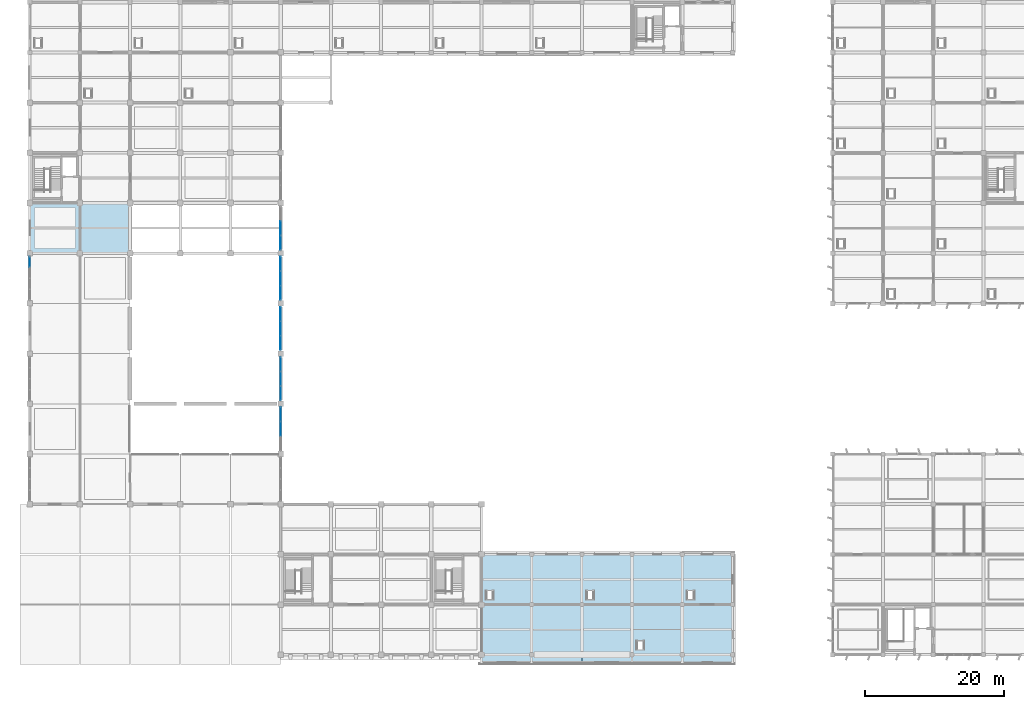
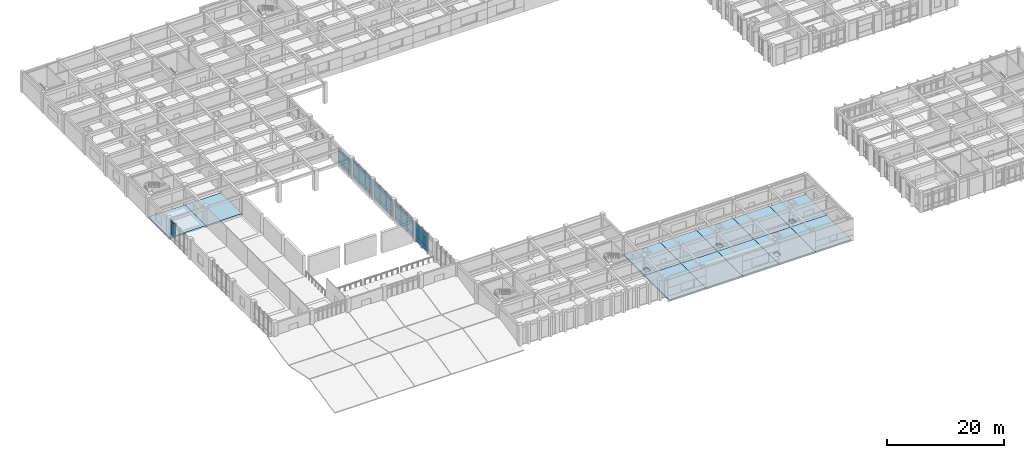
# One storey, part 34 of 70: 41 plates, 12 slabs, 6 elements without a shape of their own.
"""IFC4 building model written with IfcOpenShell, lengths in metres."""

from ifc_helpers import new_model, si_unit, direction, frame, origin, origin_2d, place, context, subcontext, project, spatial, polyline, rectangle, outline, extrude, material, layer, layer_set, type_object, element, aggregate, save


model = new_model("IFC4")

# Units and contexts
model_context = context("Model", 3, precision=1e-05, world=origin(), true_north=direction((0.0, 1.0)))
body_context = subcontext(model_context, "Body", "Model", "MODEL_VIEW")
ifc_project = project(units=[si_unit("LENGTHUNIT", "METRE"), si_unit("AREAUNIT", "SQUARE_METRE"), si_unit("VOLUMEUNIT", "CUBIC_METRE"), si_unit("PLANEANGLEUNIT", "RADIAN"), si_unit("MASSUNIT", "GRAM", prefix="KILO")], contexts=[model_context])

# Site, building, storey
site_placement = place(None, origin())
site = spatial("IfcSite", under=ifc_project, at=site_placement, CompositionType="ELEMENT")
building_placement = place(site_placement, origin())
building = spatial("IfcBuilding", under=site, at=building_placement, Name="Kavelor Marine Aquarium", CompositionType="ELEMENT")
storey_placement = place(building_placement, frame((0.0, 0.0, 9.179931640625)))
storey = spatial("IfcBuildingStorey", under=building, at=storey_placement, Name="L02", CompositionType="ELEMENT", Elevation=9.179931640625)

# Curtain wall, plates
ifc_material_1 = material(Name="Thermally Broken Aluminium and Low-E Glass", Category="aluminium")
ifc_layer_1 = layer(ifc_material_1, 0.260009765625)
ifc_layer_set_1 = layer_set([ifc_layer_1], Name="CW-SYS15")
curtain_wall_type_1 = type_object("IfcCurtainWallType", Name="CW-SYS15", PredefinedType="USERDEFINED", material=ifc_layer_set_1)
curtain_wall_1_placement = place(storey_placement, origin())
curtain_wall_1 = element("IfcCurtainWall", 1, at=curtain_wall_1_placement, inside=storey, type_object=curtain_wall_type_1, Name="cw:y:L02:00_07", ObjectType="Curtain Wall", PredefinedType="USERDEFINED")
ifc_material_2 = material(Name="Solar-Control Double Low-E Glazing", Category="glass")
ifc_layer_2 = layer(ifc_material_2, 0.053955078125)
ifc_layer_set_2 = layer_set([ifc_layer_2], Name="CWP-15")
plate_type_1 = type_object("IfcPlateType", Name="CWP-15", PredefinedType="CURTAIN_PANEL", material=ifc_layer_set_2)
plate_1_placement = place(storey_placement, frame((3.199951171875, 59.1513671875, 0.9326171875), z_axis=(0.0, 0.0, 1.0), x_axis=(0.0, -1.0, 0.0)))
plate_1 = element("IfcPlate", 2, at=plate_1_placement, type_object=plate_type_1, Name="CW15 panel 1.2", PredefinedType="CURTAIN_PANEL", context=body_context, shape_type="SweptSolid", body=[
    extrude(rectangle(XDim=1.487548828125, YDim=0.053955078125, at=origin_2d()), origin(), (0.0, 0.0, 1.0), 2.405029296875),
])
plate_2_placement = place(storey_placement, frame((3.199951171875, 59.1513671875, 3.40234375), z_axis=(0.0, 0.0, 1.0), x_axis=(0.0, -1.0, 0.0)))
plate_2 = element("IfcPlate", 3, at=plate_2_placement, type_object=plate_type_1, Name="CW15 panel 1.3", PredefinedType="CURTAIN_PANEL", context=body_context, shape_type="SweptSolid", body=[
    extrude(rectangle(XDim=1.487548828125, YDim=0.053955078125, at=origin_2d()), origin(), (0.0, 0.0, 1.0), 0.552490234375),
])
aggregate(curtain_wall_1, [plate_1, plate_2])

ifc_material_3 = material(Name="Thermally Broken Aluminium and Low-E Glass", Category="aluminium")
ifc_layer_3 = layer(ifc_material_3, 0.27587890625)
ifc_layer_set_3 = layer_set([ifc_layer_3], Name="CW-SYS17")
curtain_wall_type_2 = type_object("IfcCurtainWallType", Name="CW-SYS17", PredefinedType="USERDEFINED", material=ifc_layer_set_3)
curtain_wall_2_placement = place(storey_placement, origin())
curtain_wall_2 = element("IfcCurtainWall", 4, at=curtain_wall_2_placement, inside=storey, type_object=curtain_wall_type_2, Name="cw:y:L02:05_04", ObjectType="Curtain Wall", PredefinedType="USERDEFINED")
ifc_material_4 = material(Name="Solar-Control Double Low-E Glazing", Category="glass")
ifc_layer_4 = layer(ifc_material_4, 0.05810546875)
ifc_layer_set_4 = layer_set([ifc_layer_4], Name="CWP-17")
plate_type_2 = type_object("IfcPlateType", Name="CWP-17", PredefinedType="CURTAIN_PANEL", material=ifc_layer_set_4)
plate_3_placement = place(storey_placement, frame((39.199951171875, 35.199951171875, 0.06005859375), z_axis=(0.0, 0.0, 1.0), x_axis=(0.0, 1.0, 0.0)))
plate_3 = element("IfcPlate", 5, at=plate_3_placement, type_object=plate_type_2, Name="CW17 panel 2.1", PredefinedType="CURTAIN_PANEL", context=body_context, shape_type="SweptSolid", body=[
    extrude(rectangle(XDim=2.038330078125, YDim=0.05810546875, at=origin_2d()), origin(), (0.0, 0.0, 1.0), 0.81005859375),
])
plate_4_placement = place(storey_placement, frame((39.199951171875, 35.199951171875, 0.93017578125), z_axis=(0.0, 0.0, 1.0), x_axis=(0.0, 1.0, 0.0)))
plate_4 = element("IfcPlate", 6, at=plate_4_placement, type_object=plate_type_2, Name="CW17 panel 2.2", PredefinedType="CURTAIN_PANEL", context=body_context, shape_type="SweptSolid", body=[
    extrude(rectangle(XDim=2.038330078125, YDim=0.05810546875, at=origin_2d()), origin(), (0.0, 0.0, 1.0), 2.409912109375),
])
plate_5_placement = place(storey_placement, frame((39.199951171875, 35.199951171875, 3.400146484375), z_axis=(0.0, 0.0, 1.0), x_axis=(0.0, 1.0, 0.0)))
plate_5 = element("IfcPlate", 7, at=plate_5_placement, type_object=plate_type_2, Name="CW17 panel 2.3", PredefinedType="CURTAIN_PANEL", context=body_context, shape_type="SweptSolid", body=[
    extrude(rectangle(XDim=2.038330078125, YDim=0.05810546875, at=origin_2d()), origin(), (0.0, 0.0, 1.0), 0.56005859375),
])
plate_6_placement = place(storey_placement, frame((39.199951171875, 37.287109375, 0.06005859375), z_axis=(0.0, 0.0, 1.0), x_axis=(0.0, 1.0, 0.0)))
plate_6 = element("IfcPlate", 8, at=plate_6_placement, type_object=plate_type_2, Name="CW17 panel 3.1", PredefinedType="CURTAIN_PANEL", context=body_context, shape_type="SweptSolid", body=[
    extrude(rectangle(XDim=2.005859375, YDim=0.05810546875, at=origin_2d()), origin(), (0.0, 0.0, 1.0), 0.81005859375),
])
plate_7_placement = place(storey_placement, frame((39.199951171875, 37.287109375, 0.93017578125), z_axis=(0.0, 0.0, 1.0), x_axis=(0.0, 1.0, 0.0)))
plate_7 = element("IfcPlate", 9, at=plate_7_placement, type_object=plate_type_2, Name="CW17 panel 3.2", PredefinedType="CURTAIN_PANEL", context=body_context, shape_type="SweptSolid", body=[
    extrude(rectangle(XDim=2.005859375, YDim=0.05810546875, at=origin_2d()), origin(), (0.0, 0.0, 1.0), 2.409912109375),
])
plate_8_placement = place(storey_placement, frame((39.199951171875, 37.287109375, 3.400146484375), z_axis=(0.0, 0.0, 1.0), x_axis=(0.0, 1.0, 0.0)))
plate_8 = element("IfcPlate", 10, at=plate_8_placement, type_object=plate_type_2, Name="CW17 panel 3.3", PredefinedType="CURTAIN_PANEL", context=body_context, shape_type="SweptSolid", body=[
    extrude(rectangle(XDim=2.005859375, YDim=0.05810546875, at=origin_2d()), origin(), (0.0, 0.0, 1.0), 0.56005859375),
])
aggregate(curtain_wall_2, [plate_3, plate_4, plate_5, plate_6, plate_7, plate_8])

ifc_material_5 = material(Name="Thermally Broken Aluminium and Low-E Glass", Category="aluminium")
ifc_layer_5 = layer(ifc_material_5, 0.283935546875)
ifc_layer_set_5 = layer_set([ifc_layer_5], Name="CW-SYS18")
curtain_wall_type_3 = type_object("IfcCurtainWallType", Name="CW-SYS18", PredefinedType="USERDEFINED", material=ifc_layer_set_5)
curtain_wall_3_placement = place(storey_placement, origin())
curtain_wall_3 = element("IfcCurtainWall", 11, at=curtain_wall_3_placement, inside=storey, type_object=curtain_wall_type_3, Name="cw:y:L02:05_05", ObjectType="Curtain Wall", PredefinedType="USERDEFINED")
ifc_material_6 = material(Name="Solar-Control Double Low-E Glazing", Category="glass")
ifc_layer_6 = layer(ifc_material_6, 0.06005859375)
ifc_layer_set_6 = layer_set([ifc_layer_6], Name="CWP-18")
plate_type_3 = type_object("IfcPlateType", Name="CWP-18", PredefinedType="CURTAIN_PANEL", material=ifc_layer_set_6)
plate_9_placement = place(storey_placement, frame((39.199951171875, 40.311767578125, 0.074951171875), z_axis=(0.0, 0.0, 1.0), x_axis=(0.0, 1.0, 0.0)))
plate_9 = element("IfcPlate", 12, at=plate_9_placement, type_object=plate_type_3, Name="CW18 panel 1.1", PredefinedType="CURTAIN_PANEL", context=body_context, shape_type="SweptSolid", body=[
    extrude(rectangle(XDim=2.013427734375, YDim=0.06005859375, at=origin_2d()), origin(), (0.0, 0.0, 1.0), 0.78759765625),
])
plate_10_placement = place(storey_placement, frame((39.199951171875, 40.311767578125, 0.9375), z_axis=(0.0, 0.0, 1.0), x_axis=(0.0, 1.0, 0.0)))
plate_10 = element("IfcPlate", 13, at=plate_10_placement, type_object=plate_type_3, Name="CW18 panel 1.2", PredefinedType="CURTAIN_PANEL", context=body_context, shape_type="SweptSolid", body=[
    extrude(rectangle(XDim=2.013427734375, YDim=0.06005859375, at=origin_2d()), origin(), (0.0, 0.0, 1.0), 2.39501953125),
])
plate_11_placement = place(storey_placement, frame((39.199951171875, 40.311767578125, 3.407470703125), z_axis=(0.0, 0.0, 1.0), x_axis=(0.0, 1.0, 0.0)))
plate_11 = element("IfcPlate", 14, at=plate_11_placement, type_object=plate_type_3, Name="CW18 panel 1.3", PredefinedType="CURTAIN_PANEL", context=body_context, shape_type="SweptSolid", body=[
    extrude(rectangle(XDim=2.013427734375, YDim=0.06005859375, at=origin_2d()), origin(), (0.0, 0.0, 1.0), 0.53759765625),
])
plate_12_placement = place(storey_placement, frame((39.199951171875, 42.39990234375, 0.074951171875), z_axis=(0.0, 0.0, 1.0), x_axis=(0.0, 1.0, 0.0)))
plate_12 = element("IfcPlate", 15, at=plate_12_placement, type_object=plate_type_3, Name="CW18 panel 2.1", PredefinedType="CURTAIN_PANEL", context=body_context, shape_type="SweptSolid", body=[
    extrude(rectangle(XDim=2.043212890625, YDim=0.06005859375, at=origin_2d()), origin(), (0.0, 0.0, 1.0), 0.78759765625),
])
plate_13_placement = place(storey_placement, frame((39.199951171875, 42.39990234375, 0.9375), z_axis=(0.0, 0.0, 1.0), x_axis=(0.0, 1.0, 0.0)))
plate_13 = element("IfcPlate", 16, at=plate_13_placement, type_object=plate_type_3, Name="CW18 panel 2.2", PredefinedType="CURTAIN_PANEL", context=body_context, shape_type="SweptSolid", body=[
    extrude(rectangle(XDim=2.043212890625, YDim=0.06005859375, at=origin_2d()), origin(), (0.0, 0.0, 1.0), 2.39501953125),
])
plate_14_placement = place(storey_placement, frame((39.199951171875, 42.39990234375, 3.407470703125), z_axis=(0.0, 0.0, 1.0), x_axis=(0.0, 1.0, 0.0)))
plate_14 = element("IfcPlate", 17, at=plate_14_placement, type_object=plate_type_3, Name="CW18 panel 2.3", PredefinedType="CURTAIN_PANEL", context=body_context, shape_type="SweptSolid", body=[
    extrude(rectangle(XDim=2.043212890625, YDim=0.06005859375, at=origin_2d()), origin(), (0.0, 0.0, 1.0), 0.53759765625),
])
plate_15_placement = place(storey_placement, frame((39.199951171875, 44.48828125, 0.074951171875), z_axis=(0.0, 0.0, 1.0), x_axis=(0.0, 1.0, 0.0)))
plate_15 = element("IfcPlate", 18, at=plate_15_placement, type_object=plate_type_3, Name="CW18 panel 3.1", PredefinedType="CURTAIN_PANEL", context=body_context, shape_type="SweptSolid", body=[
    extrude(rectangle(XDim=2.013427734375, YDim=0.06005859375, at=origin_2d()), origin(), (0.0, 0.0, 1.0), 0.78759765625),
])
plate_16_placement = place(storey_placement, frame((39.199951171875, 44.48828125, 0.9375), z_axis=(0.0, 0.0, 1.0), x_axis=(0.0, 1.0, 0.0)))
plate_16 = element("IfcPlate", 19, at=plate_16_placement, type_object=plate_type_3, Name="CW18 panel 3.2", PredefinedType="CURTAIN_PANEL", context=body_context, shape_type="SweptSolid", body=[
    extrude(rectangle(XDim=2.013427734375, YDim=0.06005859375, at=origin_2d()), origin(), (0.0, 0.0, 1.0), 2.39501953125),
])
plate_17_placement = place(storey_placement, frame((39.199951171875, 44.48828125, 3.407470703125), z_axis=(0.0, 0.0, 1.0), x_axis=(0.0, 1.0, 0.0)))
plate_17 = element("IfcPlate", 20, at=plate_17_placement, type_object=plate_type_3, Name="CW18 panel 3.3", PredefinedType="CURTAIN_PANEL", context=body_context, shape_type="SweptSolid", body=[
    extrude(rectangle(XDim=2.013427734375, YDim=0.06005859375, at=origin_2d()), origin(), (0.0, 0.0, 1.0), 0.53759765625),
])
aggregate(curtain_wall_3, [plate_9, plate_10, plate_11, plate_12, plate_13, plate_14, plate_15, plate_16, plate_17])

ifc_material_7 = material(Name="Thermally Broken Aluminium and Low-E Glass", Category="aluminium")
ifc_layer_7 = layer(ifc_material_7, 0.2919921875)
ifc_layer_set_7 = layer_set([ifc_layer_7], Name="CW-SYS19")
curtain_wall_type_4 = type_object("IfcCurtainWallType", Name="CW-SYS19", PredefinedType="USERDEFINED", material=ifc_layer_set_7)
curtain_wall_4_placement = place(storey_placement, origin())
curtain_wall_4 = element("IfcCurtainWall", 21, at=curtain_wall_4_placement, inside=storey, type_object=curtain_wall_type_4, Name="cw:y:L02:05_06", ObjectType="Curtain Wall", PredefinedType="USERDEFINED")
ifc_material_8 = material(Name="Solar-Control Double Low-E Glazing", Category="glass")
ifc_layer_8 = layer(ifc_material_8, 0.06201171875)
ifc_layer_set_8 = layer_set([ifc_layer_8], Name="CWP-19")
plate_type_4 = type_object("IfcPlateType", Name="CWP-19", PredefinedType="CURTAIN_PANEL", material=ifc_layer_set_8)
plate_18_placement = place(storey_placement, frame((39.199951171875, 47.515380859375, 0.074951171875), z_axis=(0.0, 0.0, 1.0), x_axis=(0.0, 1.0, 0.0)))
plate_18 = element("IfcPlate", 22, at=plate_18_placement, type_object=plate_type_4, Name="CW19 panel 1.1", PredefinedType="CURTAIN_PANEL", context=body_context, shape_type="SweptSolid", body=[
    extrude(rectangle(XDim=1.99072265625, YDim=0.06201171875, at=origin_2d()), origin(), (0.0, 0.0, 1.0), 0.78759765625),
])
plate_19_placement = place(storey_placement, frame((39.199951171875, 47.515380859375, 0.9375), z_axis=(0.0, 0.0, 1.0), x_axis=(0.0, 1.0, 0.0)))
plate_19 = element("IfcPlate", 23, at=plate_19_placement, type_object=plate_type_4, Name="CW19 panel 1.2", PredefinedType="CURTAIN_PANEL", context=body_context, shape_type="SweptSolid", body=[
    extrude(rectangle(XDim=1.99072265625, YDim=0.06201171875, at=origin_2d()), origin(), (0.0, 0.0, 1.0), 2.39501953125),
])
plate_20_placement = place(storey_placement, frame((39.199951171875, 47.515380859375, 3.407470703125), z_axis=(0.0, 0.0, 1.0), x_axis=(0.0, 1.0, 0.0)))
plate_20 = element("IfcPlate", 24, at=plate_20_placement, type_object=plate_type_4, Name="CW19 panel 1.3", PredefinedType="CURTAIN_PANEL", context=body_context, shape_type="SweptSolid", body=[
    extrude(rectangle(XDim=1.99072265625, YDim=0.06201171875, at=origin_2d()), origin(), (0.0, 0.0, 1.0), 0.53759765625),
])
plate_21_placement = place(storey_placement, frame((39.199951171875, 49.60009765625, 0.074951171875), z_axis=(0.0, 0.0, 1.0), x_axis=(0.0, 1.0, 0.0)))
plate_21 = element("IfcPlate", 25, at=plate_21_placement, type_object=plate_type_4, Name="CW19 panel 2.1", PredefinedType="CURTAIN_PANEL", context=body_context, shape_type="SweptSolid", body=[
    extrude(rectangle(XDim=2.0283203125, YDim=0.06201171875, at=origin_2d()), origin(), (0.0, 0.0, 1.0), 0.78759765625),
])
plate_22_placement = place(storey_placement, frame((39.199951171875, 49.60009765625, 0.9375), z_axis=(0.0, 0.0, 1.0), x_axis=(0.0, 1.0, 0.0)))
plate_22 = element("IfcPlate", 26, at=plate_22_placement, type_object=plate_type_4, Name="CW19 panel 2.2", PredefinedType="CURTAIN_PANEL", context=body_context, shape_type="SweptSolid", body=[
    extrude(rectangle(XDim=2.0283203125, YDim=0.06201171875, at=origin_2d()), origin(), (0.0, 0.0, 1.0), 2.39501953125),
])
plate_23_placement = place(storey_placement, frame((39.199951171875, 49.60009765625, 3.407470703125), z_axis=(0.0, 0.0, 1.0), x_axis=(0.0, 1.0, 0.0)))
plate_23 = element("IfcPlate", 27, at=plate_23_placement, type_object=plate_type_4, Name="CW19 panel 2.3", PredefinedType="CURTAIN_PANEL", context=body_context, shape_type="SweptSolid", body=[
    extrude(rectangle(XDim=2.0283203125, YDim=0.06201171875, at=origin_2d()), origin(), (0.0, 0.0, 1.0), 0.53759765625),
])
plate_24_placement = place(storey_placement, frame((39.199951171875, 51.6845703125, 0.074951171875), z_axis=(0.0, 0.0, 1.0), x_axis=(0.0, 1.0, 0.0)))
plate_24 = element("IfcPlate", 28, at=plate_24_placement, type_object=plate_type_4, Name="CW19 panel 3.1", PredefinedType="CURTAIN_PANEL", context=body_context, shape_type="SweptSolid", body=[
    extrude(rectangle(XDim=1.99072265625, YDim=0.06201171875, at=origin_2d()), origin(), (0.0, 0.0, 1.0), 0.78759765625),
])
plate_25_placement = place(storey_placement, frame((39.199951171875, 51.6845703125, 0.9375), z_axis=(0.0, 0.0, 1.0), x_axis=(0.0, 1.0, 0.0)))
plate_25 = element("IfcPlate", 29, at=plate_25_placement, type_object=plate_type_4, Name="CW19 panel 3.2", PredefinedType="CURTAIN_PANEL", context=body_context, shape_type="SweptSolid", body=[
    extrude(rectangle(XDim=1.99072265625, YDim=0.06201171875, at=origin_2d()), origin(), (0.0, 0.0, 1.0), 2.39501953125),
])
plate_26_placement = place(storey_placement, frame((39.199951171875, 51.6845703125, 3.407470703125), z_axis=(0.0, 0.0, 1.0), x_axis=(0.0, 1.0, 0.0)))
plate_26 = element("IfcPlate", 30, at=plate_26_placement, type_object=plate_type_4, Name="CW19 panel 3.3", PredefinedType="CURTAIN_PANEL", context=body_context, shape_type="SweptSolid", body=[
    extrude(rectangle(XDim=1.99072265625, YDim=0.06201171875, at=origin_2d()), origin(), (0.0, 0.0, 1.0), 0.53759765625),
])
aggregate(curtain_wall_4, [plate_18, plate_19, plate_20, plate_21, plate_22, plate_23, plate_24, plate_25, plate_26])

ifc_material_9 = material(Name="Thermally Broken Aluminium and Low-E Glass", Category="aluminium")
ifc_layer_9 = layer(ifc_material_9, 0.300048828125)
ifc_layer_set_9 = layer_set([ifc_layer_9], Name="CW-SYS20")
curtain_wall_type_5 = type_object("IfcCurtainWallType", Name="CW-SYS20", PredefinedType="USERDEFINED", material=ifc_layer_set_9)
curtain_wall_5_placement = place(storey_placement, origin())
curtain_wall_5 = element("IfcCurtainWall", 31, at=curtain_wall_5_placement, inside=storey, type_object=curtain_wall_type_5, Name="cw:y:L02:05_07", ObjectType="Curtain Wall", PredefinedType="USERDEFINED")
ifc_material_10 = material(Name="Solar-Control Double Low-E Glazing", Category="glass")
ifc_layer_10 = layer(ifc_material_10, 0.06396484375)
ifc_layer_set_10 = layer_set([ifc_layer_10], Name="CWP-20")
plate_type_5 = type_object("IfcPlateType", Name="CWP-20", PredefinedType="CURTAIN_PANEL", material=ifc_layer_set_10)
plate_27_placement = place(storey_placement, frame((39.199951171875, 54.712890625, 0.06494140625), z_axis=(0.0, 0.0, 1.0), x_axis=(0.0, 1.0, 0.0)))
plate_27 = element("IfcPlate", 32, at=plate_27_placement, type_object=plate_type_5, Name="CW20 panel 1.1", PredefinedType="CURTAIN_PANEL", context=body_context, shape_type="SweptSolid", body=[
    extrude(rectangle(XDim=2.005859375, YDim=0.06396484375, at=origin_2d()), origin(), (0.0, 0.0, 1.0), 0.802490234375),
])
plate_28_placement = place(storey_placement, frame((39.199951171875, 54.712890625, 0.9326171875), z_axis=(0.0, 0.0, 1.0), x_axis=(0.0, 1.0, 0.0)))
plate_28 = element("IfcPlate", 33, at=plate_28_placement, type_object=plate_type_5, Name="CW20 panel 1.2", PredefinedType="CURTAIN_PANEL", context=body_context, shape_type="SweptSolid", body=[
    extrude(rectangle(XDim=2.005859375, YDim=0.06396484375, at=origin_2d()), origin(), (0.0, 0.0, 1.0), 2.405029296875),
])
plate_29_placement = place(storey_placement, frame((39.199951171875, 54.712890625, 3.40234375), z_axis=(0.0, 0.0, 1.0), x_axis=(0.0, 1.0, 0.0)))
plate_29 = element("IfcPlate", 34, at=plate_29_placement, type_object=plate_type_5, Name="CW20 panel 1.3", PredefinedType="CURTAIN_PANEL", context=body_context, shape_type="SweptSolid", body=[
    extrude(rectangle(XDim=2.005859375, YDim=0.06396484375, at=origin_2d()), origin(), (0.0, 0.0, 1.0), 0.552490234375),
])
plate_30_placement = place(storey_placement, frame((39.199951171875, 56.800048828125, 0.06494140625), z_axis=(0.0, 0.0, 1.0), x_axis=(0.0, 1.0, 0.0)))
plate_30 = element("IfcPlate", 35, at=plate_30_placement, type_object=plate_type_5, Name="CW20 panel 2.1", PredefinedType="CURTAIN_PANEL", context=body_context, shape_type="SweptSolid", body=[
    extrude(rectangle(XDim=2.038330078125, YDim=0.06396484375, at=origin_2d()), origin(), (0.0, 0.0, 1.0), 0.802490234375),
])
plate_31_placement = place(storey_placement, frame((39.199951171875, 56.800048828125, 0.9326171875), z_axis=(0.0, 0.0, 1.0), x_axis=(0.0, 1.0, 0.0)))
plate_31 = element("IfcPlate", 36, at=plate_31_placement, type_object=plate_type_5, Name="CW20 panel 2.2", PredefinedType="CURTAIN_PANEL", context=body_context, shape_type="SweptSolid", body=[
    extrude(rectangle(XDim=2.038330078125, YDim=0.06396484375, at=origin_2d()), origin(), (0.0, 0.0, 1.0), 2.405029296875),
])
plate_32_placement = place(storey_placement, frame((39.199951171875, 56.800048828125, 3.40234375), z_axis=(0.0, 0.0, 1.0), x_axis=(0.0, 1.0, 0.0)))
plate_32 = element("IfcPlate", 37, at=plate_32_placement, type_object=plate_type_5, Name="CW20 panel 2.3", PredefinedType="CURTAIN_PANEL", context=body_context, shape_type="SweptSolid", body=[
    extrude(rectangle(XDim=2.038330078125, YDim=0.06396484375, at=origin_2d()), origin(), (0.0, 0.0, 1.0), 0.552490234375),
])
plate_33_placement = place(storey_placement, frame((39.199951171875, 58.886962890625, 0.06494140625), z_axis=(0.0, 0.0, 1.0), x_axis=(0.0, 1.0, 0.0)))
plate_33 = element("IfcPlate", 38, at=plate_33_placement, type_object=plate_type_5, Name="CW20 panel 3.1", PredefinedType="CURTAIN_PANEL", context=body_context, shape_type="SweptSolid", body=[
    extrude(rectangle(XDim=2.005859375, YDim=0.06396484375, at=origin_2d()), origin(), (0.0, 0.0, 1.0), 0.802490234375),
])
plate_34_placement = place(storey_placement, frame((39.199951171875, 58.886962890625, 0.9326171875), z_axis=(0.0, 0.0, 1.0), x_axis=(0.0, 1.0, 0.0)))
plate_34 = element("IfcPlate", 39, at=plate_34_placement, type_object=plate_type_5, Name="CW20 panel 3.2", PredefinedType="CURTAIN_PANEL", context=body_context, shape_type="SweptSolid", body=[
    extrude(rectangle(XDim=2.005859375, YDim=0.06396484375, at=origin_2d()), origin(), (0.0, 0.0, 1.0), 2.405029296875),
])
plate_35_placement = place(storey_placement, frame((39.199951171875, 58.886962890625, 3.40234375), z_axis=(0.0, 0.0, 1.0), x_axis=(0.0, 1.0, 0.0)))
plate_35 = element("IfcPlate", 40, at=plate_35_placement, type_object=plate_type_5, Name="CW20 panel 3.3", PredefinedType="CURTAIN_PANEL", context=body_context, shape_type="SweptSolid", body=[
    extrude(rectangle(XDim=2.005859375, YDim=0.06396484375, at=origin_2d()), origin(), (0.0, 0.0, 1.0), 0.552490234375),
])
aggregate(curtain_wall_5, [plate_27, plate_28, plate_29, plate_30, plate_31, plate_32, plate_33, plate_34, plate_35])

ifc_material_11 = material(Name="Thermally Broken Aluminium and Low-E Glass", Category="aluminium")
ifc_layer_11 = layer(ifc_material_11, 0.30810546875)
ifc_layer_set_11 = layer_set([ifc_layer_11], Name="CW-SYS21")
curtain_wall_type_6 = type_object("IfcCurtainWallType", Name="CW-SYS21", PredefinedType="USERDEFINED", material=ifc_layer_set_11)
curtain_wall_6_placement = place(storey_placement, origin())
curtain_wall_6 = element("IfcCurtainWall", 41, at=curtain_wall_6_placement, inside=storey, type_object=curtain_wall_type_6, Name="cw:y:L02:05_08", ObjectType="Curtain Wall", PredefinedType="USERDEFINED")
ifc_material_12 = material(Name="Solar-Control Double Low-E Glazing", Category="glass")
ifc_layer_12 = layer(ifc_material_12, 0.06591796875)
ifc_layer_set_12 = layer_set([ifc_layer_12], Name="CWP-21")
plate_type_6 = type_object("IfcPlateType", Name="CWP-21", PredefinedType="CURTAIN_PANEL", material=ifc_layer_set_12)
plate_36_placement = place(storey_placement, frame((39.199951171875, 61.91162109375, 0.06494140625), z_axis=(0.0, 0.0, 1.0), x_axis=(0.0, 1.0, 0.0)))
plate_36 = element("IfcPlate", 42, at=plate_36_placement, type_object=plate_type_6, Name="CW21 panel 1.1", PredefinedType="CURTAIN_PANEL", context=body_context, shape_type="SweptSolid", body=[
    extrude(rectangle(XDim=2.013427734375, YDim=0.06591796875, at=origin_2d()), origin(), (0.0, 0.0, 1.0), 0.802490234375),
])
plate_37_placement = place(storey_placement, frame((39.199951171875, 61.91162109375, 0.9326171875), z_axis=(0.0, 0.0, 1.0), x_axis=(0.0, 1.0, 0.0)))
plate_37 = element("IfcPlate", 43, at=plate_37_placement, type_object=plate_type_6, Name="CW21 panel 1.2", PredefinedType="CURTAIN_PANEL", context=body_context, shape_type="SweptSolid", body=[
    extrude(rectangle(XDim=2.013427734375, YDim=0.06591796875, at=origin_2d()), origin(), (0.0, 0.0, 1.0), 1.844970703125),
])
plate_38_placement = place(storey_placement, frame((39.199951171875, 61.91162109375, 2.8427734375), z_axis=(0.0, 0.0, 1.0), x_axis=(0.0, 1.0, 0.0)))
plate_38 = element("IfcPlate", 44, at=plate_38_placement, type_object=plate_type_6, Name="CW21 panel 1.3", PredefinedType="CURTAIN_PANEL", context=body_context, shape_type="SweptSolid", body=[
    extrude(rectangle(XDim=2.013427734375, YDim=0.06591796875, at=origin_2d()), origin(), (0.0, 0.0, 1.0), 0.552490234375),
])
plate_39_placement = place(storey_placement, frame((39.199951171875, 64.0, 0.06494140625), z_axis=(0.0, 0.0, 1.0), x_axis=(0.0, 1.0, 0.0)))
plate_39 = element("IfcPlate", 45, at=plate_39_placement, type_object=plate_type_6, Name="CW21 panel 2.1", PredefinedType="CURTAIN_PANEL", context=body_context, shape_type="SweptSolid", body=[
    extrude(rectangle(XDim=2.043212890625, YDim=0.06591796875, at=origin_2d()), origin(), (0.0, 0.0, 1.0), 0.802490234375),
])
plate_40_placement = place(storey_placement, frame((39.199951171875, 64.0, 0.9326171875), z_axis=(0.0, 0.0, 1.0), x_axis=(0.0, 1.0, 0.0)))
plate_40 = element("IfcPlate", 46, at=plate_40_placement, type_object=plate_type_6, Name="CW21 panel 2.2", PredefinedType="CURTAIN_PANEL", context=body_context, shape_type="SweptSolid", body=[
    extrude(rectangle(XDim=2.043212890625, YDim=0.06591796875, at=origin_2d()), origin(), (0.0, 0.0, 1.0), 1.844970703125),
])
plate_41_placement = place(storey_placement, frame((39.199951171875, 64.0, 2.8427734375), z_axis=(0.0, 0.0, 1.0), x_axis=(0.0, 1.0, 0.0)))
plate_41 = element("IfcPlate", 47, at=plate_41_placement, type_object=plate_type_6, Name="CW21 panel 2.3", PredefinedType="CURTAIN_PANEL", context=body_context, shape_type="SweptSolid", body=[
    extrude(rectangle(XDim=2.043212890625, YDim=0.06591796875, at=origin_2d()), origin(), (0.0, 0.0, 1.0), 0.552490234375),
])
aggregate(curtain_wall_6, [plate_36, plate_37, plate_38, plate_39, plate_40, plate_41])

# Slabs
ifc_material_13 = material(Name="Concrete C40/50", Category="concrete")
ifc_layer_13 = layer(ifc_material_13, 0.300048828125)
ifc_layer_set_13 = layer_set([ifc_layer_13], Name="SL-FL1")
slab_type_1 = type_object("IfcSlabType", Name="SL-FL1", PredefinedType="FLOOR", material=ifc_layer_set_13)
slab_1_placement = place(storey_placement, frame((0.0, 0.0, -0.300048828125)))
element("IfcSlab", 48, at=slab_1_placement, inside=storey, type_object=slab_type_1, Name="slab:L02:00_08", PredefinedType="FLOOR", context=body_context, shape_type="SweptSolid", body=[
    extrude(outline(polyline([(3.199951171875, 60.39990234375), (10.39990234375, 60.39990234375), (10.39990234375, 67.60009765625), (3.199951171875, 67.60009765625), (3.199951171875, 60.39990234375)])), origin(), (0.0, 0.0, 1.0), 0.300048828125),
])
slab_2_placement = place(storey_placement, frame((0.0, 0.0, -0.300048828125)))
element("IfcSlab", 49, at=slab_2_placement, inside=storey, type_object=slab_type_1, Name="slab:L02:09_01", PredefinedType="FLOOR", context=body_context, shape_type="SweptSolid", body=[
    extrude(outline(polyline([(68.0, 10.0), (75.199951171875, 10.0), (75.199951171875, 17.199951171875), (68.0, 17.199951171875), (68.0, 10.0)]), holes=[polyline([(68.75, 10.75), (69.64990234375, 10.75), (69.64990234375, 11.949951171875), (68.75, 11.949951171875), (68.75, 10.75)])]), origin(), (0.0, 0.0, 1.0), 0.300048828125),
])
slab_3_placement = place(storey_placement, frame((0.0, 0.0, -0.300048828125)))
element("IfcSlab", 50, at=slab_3_placement, inside=storey, type_object=slab_type_1, Name="slab:L02:10_00", PredefinedType="FLOOR", context=body_context, shape_type="SweptSolid", body=[
    extrude(outline(polyline([(75.199951171875, 1.56005859375), (82.39990234375, 1.56005859375), (82.39990234375, 10.0), (75.199951171875, 10.0), (75.199951171875, 1.56005859375)])), origin(), (0.0, 0.0, 1.0), 0.300048828125),
])
slab_4_placement = place(storey_placement, frame((0.0, 0.0, -0.300048828125)))
element("IfcSlab", 51, at=slab_4_placement, inside=storey, type_object=slab_type_1, Name="slab:L02:11_01", PredefinedType="FLOOR", context=body_context, shape_type="SweptSolid", body=[
    extrude(outline(polyline([(82.39990234375, 10.0), (89.60009765625, 10.0), (89.60009765625, 17.199951171875), (82.39990234375, 17.199951171875), (82.39990234375, 10.0)]), holes=[polyline([(83.14990234375, 10.75), (84.050048828125, 10.75), (84.050048828125, 11.949951171875), (83.14990234375, 11.949951171875), (83.14990234375, 10.75)])]), origin(), (0.0, 0.0, 1.0), 0.300048828125),
])
slab_5_placement = place(storey_placement, frame((0.0, 0.0, -0.300048828125)))
element("IfcSlab", 52, at=slab_5_placement, inside=storey, type_object=slab_type_1, Name="slab:L02:12_00", PredefinedType="FLOOR", context=body_context, shape_type="SweptSolid", body=[
    extrude(outline(polyline([(89.60009765625, 1.56005859375), (96.800048828125, 1.56005859375), (96.800048828125, 10.0), (89.60009765625, 10.0), (89.60009765625, 1.56005859375)]), holes=[polyline([(90.35009765625, 3.550048828125), (91.25, 3.550048828125), (91.25, 4.75), (90.35009765625, 4.75), (90.35009765625, 3.550048828125)])]), origin(), (0.0, 0.0, 1.0), 0.300048828125),
])
slab_6_placement = place(storey_placement, frame((0.0, 0.0, -0.300048828125)))
element("IfcSlab", 53, at=slab_6_placement, inside=storey, type_object=slab_type_1, Name="slab:L02:13_01", PredefinedType="FLOOR", context=body_context, shape_type="SweptSolid", body=[
    extrude(outline(polyline([(96.800048828125, 10.0), (104.0, 10.0), (104.0, 17.199951171875), (96.800048828125, 17.199951171875), (96.800048828125, 10.0)]), holes=[polyline([(97.550048828125, 10.75), (98.449951171875, 10.75), (98.449951171875, 11.949951171875), (97.550048828125, 11.949951171875), (97.550048828125, 10.75)])]), origin(), (0.0, 0.0, 1.0), 0.300048828125),
])
ifc_material_14 = material(Name="Concrete C40/50", Category="concrete")
ifc_layer_14 = layer(ifc_material_14, 0.280029296875)
ifc_layer_set_14 = layer_set([ifc_layer_14], Name="SL-FL2")
slab_type_2 = type_object("IfcSlabType", Name="SL-FL2", PredefinedType="FLOOR", material=ifc_layer_set_14)
slab_7_placement = place(storey_placement, frame((0.0, 0.0, -0.280029296875)))
element("IfcSlab", 54, at=slab_7_placement, inside=storey, type_object=slab_type_2, Name="slab:L02:01_08", PredefinedType="FLOOR", context=body_context, shape_type="SweptSolid", body=[
    extrude(outline(polyline([(10.39990234375, 60.39990234375), (17.60009765625, 60.39990234375), (17.60009765625, 67.60009765625), (10.39990234375, 67.60009765625), (10.39990234375, 60.39990234375)])), origin(), (0.0, 0.0, 1.0), 0.280029296875),
])
slab_8_placement = place(storey_placement, frame((0.0, 0.0, -0.280029296875)))
element("IfcSlab", 55, at=slab_8_placement, inside=storey, type_object=slab_type_2, Name="slab:L02:09_00", PredefinedType="FLOOR", context=body_context, shape_type="SweptSolid", body=[
    extrude(outline(polyline([(68.0, 1.56005859375), (75.199951171875, 1.56005859375), (75.199951171875, 10.0), (68.0, 10.0), (68.0, 1.56005859375)])), origin(), (0.0, 0.0, 1.0), 0.280029296875),
])
slab_9_placement = place(storey_placement, frame((0.0, 0.0, -0.280029296875)))
element("IfcSlab", 56, at=slab_9_placement, inside=storey, type_object=slab_type_2, Name="slab:L02:10_01", PredefinedType="FLOOR", context=body_context, shape_type="SweptSolid", body=[
    extrude(outline(polyline([(75.199951171875, 10.0), (82.39990234375, 10.0), (82.39990234375, 17.199951171875), (75.199951171875, 17.199951171875), (75.199951171875, 10.0)])), origin(), (0.0, 0.0, 1.0), 0.280029296875),
])
slab_10_placement = place(storey_placement, frame((0.0, 0.0, -0.280029296875)))
element("IfcSlab", 57, at=slab_10_placement, inside=storey, type_object=slab_type_2, Name="slab:L02:11_00", PredefinedType="FLOOR", context=body_context, shape_type="SweptSolid", body=[
    extrude(outline(polyline([(82.39990234375, 1.56005859375), (89.60009765625, 1.56005859375), (89.60009765625, 10.0), (82.39990234375, 10.0), (82.39990234375, 1.56005859375)])), origin(), (0.0, 0.0, 1.0), 0.280029296875),
])
slab_11_placement = place(storey_placement, frame((0.0, 0.0, -0.280029296875)))
element("IfcSlab", 58, at=slab_11_placement, inside=storey, type_object=slab_type_2, Name="slab:L02:12_01", PredefinedType="FLOOR", context=body_context, shape_type="SweptSolid", body=[
    extrude(outline(polyline([(89.60009765625, 10.0), (96.800048828125, 10.0), (96.800048828125, 17.199951171875), (89.60009765625, 17.199951171875), (89.60009765625, 10.0)])), origin(), (0.0, 0.0, 1.0), 0.280029296875),
])
slab_12_placement = place(storey_placement, frame((0.0, 0.0, -0.280029296875)))
element("IfcSlab", 59, at=slab_12_placement, inside=storey, type_object=slab_type_2, Name="slab:L02:13_00", PredefinedType="FLOOR", context=body_context, shape_type="SweptSolid", body=[
    extrude(outline(polyline([(96.800048828125, 1.56005859375), (104.0, 1.56005859375), (104.0, 10.0), (96.800048828125, 10.0), (96.800048828125, 1.56005859375)])), origin(), (0.0, 0.0, 1.0), 0.280029296875),
])

save(model, "model.ifc")
